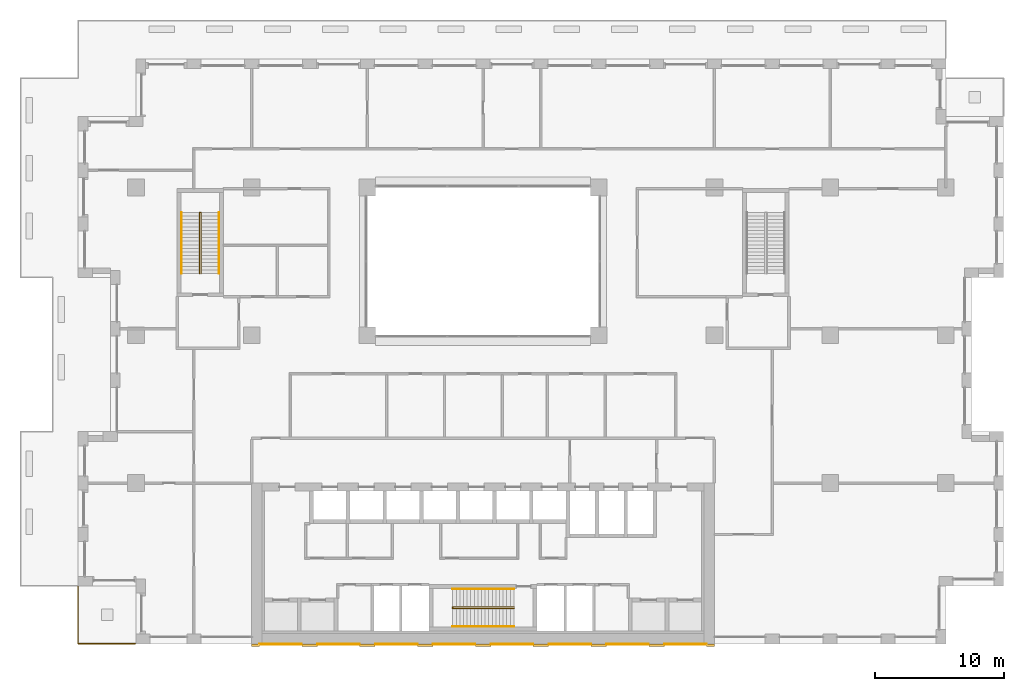
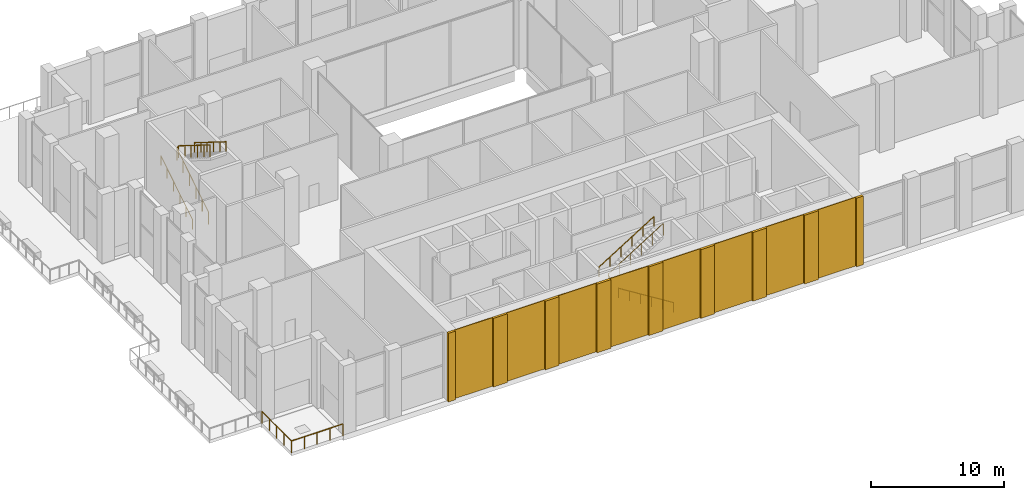
# One storey, part 19 of 21: 17 coverings, 7 railings.
"""IFC4 building model written with IfcOpenShell, lengths in metres."""

from ifc_helpers import new_model, si_unit, direction, frame, origin, origin_2d, place, context, subcontext, project, spatial, rectangle, circle, extrude, material, layer, layer_set, type_object, element, save


model = new_model("IFC4")

# Units and contexts
model_context = context("Model", 3, precision=1e-05, world=origin(), true_north=direction((0.0, 1.0)))
body_context = subcontext(model_context, "Body", "Model", "MODEL_VIEW")
ifc_project = project(units=[si_unit("LENGTHUNIT", "METRE"), si_unit("AREAUNIT", "SQUARE_METRE"), si_unit("VOLUMEUNIT", "CUBIC_METRE"), si_unit("PLANEANGLEUNIT", "RADIAN"), si_unit("MASSUNIT", "GRAM", prefix="KILO")], contexts=[model_context])

# Site, building, storey
site_placement = place(None, origin())
site = spatial("IfcSite", under=ifc_project, at=site_placement, CompositionType="ELEMENT")
building_placement = place(site_placement, origin())
building = spatial("IfcBuilding", under=site, at=building_placement, Name="Brigalow Station Residences", CompositionType="ELEMENT")
storey_placement = place(building_placement, frame((0.0, 0.0, 77.25)))
storey = spatial("IfcBuildingStorey", under=building, at=storey_placement, Name="L22", CompositionType="ELEMENT", Elevation=77.25)

# Railing
ifc_material_1 = material(Name="Stainless steel balustrade with laminated glass infill", Category="steel")
railing_type_1 = type_object("IfcRailingType", Name="BALCONY GUARD 1100", PredefinedType="GUARDRAIL", material=ifc_material_1)
railing_1_placement = place(storey_placement, frame((4.5, 4.449951171875, -0.0400390625)))
element("IfcRailing", 1, at=railing_1_placement, inside=storey, type_object=railing_type_1, Name="L22/terrace-guard/2-1", PredefinedType="GUARDRAIL", context=body_context, shape_type="SweptSolid", body=[
    extrude(circle(Radius=0.02392578125, at=origin_2d()), frame((0.0, 0.0, 1.076171875), z_axis=(0.0, -1.0, 0.0), x_axis=(1.0, 0.0, 0.0)), (0.0, 0.0, 1.0), 4.449951171875),
    extrude(circle(Radius=0.02392578125, at=origin_2d()), frame((0.0, -4.449951171875, 1.076171875), z_axis=(1.0, 0.0, 0.0), x_axis=(0.0, 1.0, 0.0)), (0.0, 0.0, 1.0), 4.449951171875),
    extrude(circle(Radius=0.02099609375, at=origin_2d()), origin(), (0.0, 0.0, 1.0), 1.052001953125),
    extrude(circle(Radius=0.02099609375, at=origin_2d()), frame((0.0, -1.112548828125, 0.0)), (0.0, 0.0, 1.0), 1.052001953125),
    extrude(circle(Radius=0.02099609375, at=origin_2d()), frame((0.0, -2.22509765625, 0.0)), (0.0, 0.0, 1.0), 1.052001953125),
    extrude(circle(Radius=0.02099609375, at=origin_2d()), frame((0.0, -3.33740234375, 0.0)), (0.0, 0.0, 1.0), 1.052001953125),
    extrude(circle(Radius=0.02099609375, at=origin_2d()), frame((0.0, -4.449951171875, 0.0)), (0.0, 0.0, 1.0), 1.052001953125),
    extrude(circle(Radius=0.02099609375, at=origin_2d()), frame((1.112548828125, -4.449951171875, 0.0)), (0.0, 0.0, 1.0), 1.052001953125),
    extrude(circle(Radius=0.02099609375, at=origin_2d()), frame((2.22509765625, -4.449951171875, 0.0)), (0.0, 0.0, 1.0), 1.052001953125),
    extrude(circle(Radius=0.02099609375, at=origin_2d()), frame((3.33740234375, -4.449951171875, 0.0)), (0.0, 0.0, 1.0), 1.052001953125),
    extrude(circle(Radius=0.02099609375, at=origin_2d()), frame((4.449951171875, -4.449951171875, 0.0)), (0.0, 0.0, 1.0), 1.052001953125),
])

# Coverings
ifc_material_2 = material(Name="Clay brick masonry", Category="masonry")
ifc_layer_1 = layer(ifc_material_2, 0.06005859375)
ifc_layer_set_1 = layer_set([ifc_layer_1], Name="BRICK PANEL FACING 60")
covering_type_1 = type_object("IfcCoveringType", Name="BRICK PANEL FACING 60", PredefinedType="CLADDING", material=ifc_layer_set_1)
for number, where, z_axis, x_axis, name in (
    (2, (20.25, -0.030029296875, 0.0), (0.0, 0.0, 1.0), (1.0, 0.0, 0.0), "L22/rear-facing/panel-1"),
    (3, (24.75, -0.030029296875, 0.0), (0.0, 0.0, 1.0), (1.0, 0.0, 0.0), "L22/rear-facing/panel-2"),
    (4, (29.25, -0.030029296875, 0.0), (0.0, 0.0, 1.0), (1.0, 0.0, 0.0), "L22/rear-facing/panel-3"),
    (5, (33.75, -0.030029296875, 0.0), (0.0, 0.0, 1.0), (1.0, 0.0, 0.0), "L22/rear-facing/panel-4"),
    (6, (38.25, -0.030029296875, 0.0), (0.0, 0.0, 1.0), (1.0, 0.0, 0.0), "L22/rear-facing/panel-5"),
    (7, (42.75, -0.030029296875, 0.0), (0.0, 0.0, 1.0), (1.0, 0.0, 0.0), "L22/rear-facing/panel-6"),
    (8, (47.25, -0.030029296875, 0.0), (0.0, 0.0, 1.0), (1.0, 0.0, 0.0), "L22/rear-facing/panel-7"),
    (9, (51.75, -0.030029296875, 0.0), (0.0, 0.0, 1.0), (1.0, 0.0, 0.0), "L22/rear-facing/panel-8"),
):
    element("IfcCovering", number, at=place(storey_placement, frame(where, z_axis=z_axis, x_axis=x_axis)), inside=storey, type_object=covering_type_1, Name=name, PredefinedType="CLADDING", context=body_context, shape_type="SweptSolid", body=[
        extrude(rectangle(XDim=3.300048828125, YDim=0.06005859375, at=origin_2d()), origin(), (0.0, 0.0, 1.0), 6.300048828125),
    ])
ifc_material_3 = material(Name="Clay brick masonry", Category="masonry")
ifc_layer_2 = layer(ifc_material_3, 0.199951171875)
ifc_layer_set_2 = layer_set([ifc_layer_2], Name="BRICK PIER FACING 200")
covering_type_2 = type_object("IfcCoveringType", Name="BRICK PIER FACING 200", PredefinedType="CLADDING", material=ifc_layer_set_2)
covering_1_placement = place(storey_placement, frame((18.300048828125, -0.10009765625, 0.0), z_axis=(0.0, 0.0, 1.0), x_axis=(1.0, 0.0, 0.0)))
element("IfcCovering", 10, at=covering_1_placement, inside=storey, type_object=covering_type_2, Name="L22/rear-facing/pier-1", PredefinedType="CLADDING", context=body_context, shape_type="SweptSolid", body=[
    extrude(rectangle(XDim=0.60009765625, YDim=0.199951171875, at=origin_2d()), origin(), (0.0, 0.0, 1.0), 6.300048828125),
])
for number, where, z_axis, x_axis, name in (
    (11, (22.5, -0.10009765625, 0.0), (0.0, 0.0, 1.0), (1.0, 0.0, 0.0), "L22/rear-facing/pier-2"),
    (12, (27.0, -0.10009765625, 0.0), (0.0, 0.0, 1.0), (1.0, 0.0, 0.0), "L22/rear-facing/pier-3"),
    (13, (31.5, -0.10009765625, 0.0), (0.0, 0.0, 1.0), (1.0, 0.0, 0.0), "L22/rear-facing/pier-4"),
    (14, (36.0, -0.10009765625, 0.0), (0.0, 0.0, 1.0), (1.0, 0.0, 0.0), "L22/rear-facing/pier-5"),
    (15, (40.5, -0.10009765625, 0.0), (0.0, 0.0, 1.0), (1.0, 0.0, 0.0), "L22/rear-facing/pier-6"),
    (16, (45.0, -0.10009765625, 0.0), (0.0, 0.0, 1.0), (1.0, 0.0, 0.0), "L22/rear-facing/pier-7"),
    (17, (49.5, -0.10009765625, 0.0), (0.0, 0.0, 1.0), (1.0, 0.0, 0.0), "L22/rear-facing/pier-8"),
):
    element("IfcCovering", number, at=place(storey_placement, frame(where, z_axis=z_axis, x_axis=x_axis)), inside=storey, type_object=covering_type_2, Name=name, PredefinedType="CLADDING", context=body_context, shape_type="SweptSolid", body=[
        extrude(rectangle(XDim=1.199951171875, YDim=0.199951171875, at=origin_2d()), origin(), (0.0, 0.0, 1.0), 6.300048828125),
    ])
covering_2_placement = place(storey_placement, frame((53.699951171875, -0.10009765625, 0.0), z_axis=(0.0, 0.0, 1.0), x_axis=(1.0, 0.0, 0.0)))
element("IfcCovering", 18, at=covering_2_placement, inside=storey, type_object=covering_type_2, Name="L22/rear-facing/pier-9", PredefinedType="CLADDING", context=body_context, shape_type="SweptSolid", body=[
    extrude(rectangle(XDim=0.60009765625, YDim=0.199951171875, at=origin_2d()), origin(), (0.0, 0.0, 1.0), 6.300048828125),
])

# Railings
ifc_material_4 = material(Name="Stainless steel balustrade", Category="steel")
railing_type_2 = type_object("IfcRailingType", Name="STAIR GUARD 1100", PredefinedType="GUARDRAIL", material=ifc_material_4)
railing_2_placement = place(storey_placement, frame((38.39990234375, 2.72998046875, 0.175048828125)))
element("IfcRailing", 19, at=railing_2_placement, inside=storey, type_object=railing_type_2, Name="GUARD GR-2", PredefinedType="GUARDRAIL", context=body_context, shape_type="SweptSolid", body=[
    extrude(circle(Radius=0.02392578125, at=origin_2d()), frame((0.0, 0.0, 1.076171875), z_axis=(-0.848010521311, 0.0, 0.529979391813), x_axis=(0.0, -1.0, 0.0)), (0.0, 0.0, 1.0), 5.613037109375),
    extrude(circle(Radius=0.02392578125, at=origin_2d()), frame((-4.760009765625, 0.0, 4.05078125), z_axis=(0.0, 0.624960567888, 0.780656319122), x_axis=(-1.0, 0.0, 0.0)), (0.0, 0.0, 1.0), 0.22412109375),
    extrude(circle(Radius=0.02392578125, at=origin_2d()), frame((-4.760009765625, 0.14013671875, 4.22607421875), z_axis=(0.847990973574, 0.0, 0.530010668512), x_axis=(0.0, 1.0, 0.0)), (0.0, 0.0, 1.0), 5.61328125),
    extrude(circle(Radius=0.02099609375, at=origin_2d()), origin(), (0.0, 0.0, 1.0), 1.052001953125),
    extrude(circle(Radius=0.02099609375, at=origin_2d()), frame((-0.951904296875, 0.0, 0.594970703125)), (0.0, 0.0, 1.0), 1.052001953125),
    extrude(circle(Radius=0.02099609375, at=origin_2d()), frame((-1.904052734375, 0.0, 1.18994140625)), (0.0, 0.0, 1.0), 1.052001953125),
    extrude(circle(Radius=0.02099609375, at=origin_2d()), frame((-2.85595703125, 0.0, 1.784912109375)), (0.0, 0.0, 1.0), 1.052001953125),
    extrude(circle(Radius=0.02099609375, at=origin_2d()), frame((-3.80810546875, 0.0, 2.3798828125)), (0.0, 0.0, 1.0), 1.052001953125),
    extrude(circle(Radius=0.02099609375, at=origin_2d()), frame((-4.760009765625, 0.0, 2.974853515625)), (0.0, 0.0, 1.0), 1.052001953125),
    extrude(circle(Radius=0.02099609375, at=origin_2d()), frame((-4.760009765625, 0.14013671875, 3.14990234375)), (0.0, 0.0, 1.0), 1.052001953125),
    extrude(circle(Radius=0.02099609375, at=origin_2d()), frame((-3.80810546875, 0.14013671875, 3.744873046875)), (0.0, 0.0, 1.0), 1.052001953125),
    extrude(circle(Radius=0.02099609375, at=origin_2d()), frame((-2.85595703125, 0.14013671875, 4.33984375)), (0.0, 0.0, 1.0), 1.052001953125),
    extrude(circle(Radius=0.02099609375, at=origin_2d()), frame((-1.904052734375, 0.14013671875, 4.93505859375)), (0.0, 0.0, 1.0), 1.052001953125),
    extrude(circle(Radius=0.02099609375, at=origin_2d()), frame((-0.951904296875, 0.14013671875, 5.530029296875)), (0.0, 0.0, 1.0), 1.052001953125),
    extrude(circle(Radius=0.02099609375, at=origin_2d()), frame((0.0, 0.14013671875, 6.125)), (0.0, 0.0, 1.0), 1.052001953125),
])
railing_3_placement = place(storey_placement, frame((13.929931640625, 28.800048828125, 0.175048828125)))
element("IfcRailing", 20, at=railing_3_placement, inside=storey, type_object=railing_type_2, Name="GUARD GR-1", PredefinedType="GUARDRAIL", context=body_context, shape_type="SweptSolid", body=[
    extrude(circle(Radius=0.02392578125, at=origin_2d()), frame((0.0, 0.0, 1.076171875), z_axis=(0.0, 0.848010521311, 0.529979391813), x_axis=(-1.0, 0.0, 0.0)), (0.0, 0.0, 1.0), 5.613037109375),
    extrude(circle(Radius=0.02392578125, at=origin_2d()), frame((0.0, 4.760009765625, 4.05078125), z_axis=(0.624960567888, 0.0, 0.780656319122), x_axis=(0.0, 1.0, 0.0)), (0.0, 0.0, 1.0), 0.22412109375),
    extrude(circle(Radius=0.02392578125, at=origin_2d()), frame((0.14013671875, 4.760009765625, 4.22607421875), z_axis=(0.0, -0.847990973574, 0.530010668512), x_axis=(1.0, 0.0, 0.0)), (0.0, 0.0, 1.0), 5.61328125),
    extrude(circle(Radius=0.02099609375, at=origin_2d()), origin(), (0.0, 0.0, 1.0), 1.052001953125),
    extrude(circle(Radius=0.02099609375, at=origin_2d()), frame((0.0, 0.951904296875, 0.594970703125)), (0.0, 0.0, 1.0), 1.052001953125),
    extrude(circle(Radius=0.02099609375, at=origin_2d()), frame((0.0, 1.904052734375, 1.18994140625)), (0.0, 0.0, 1.0), 1.052001953125),
    extrude(circle(Radius=0.02099609375, at=origin_2d()), frame((0.0, 2.85595703125, 1.784912109375)), (0.0, 0.0, 1.0), 1.052001953125),
    extrude(circle(Radius=0.02099609375, at=origin_2d()), frame((0.0, 3.80810546875, 2.3798828125)), (0.0, 0.0, 1.0), 1.052001953125),
    extrude(circle(Radius=0.02099609375, at=origin_2d()), frame((0.0, 4.760009765625, 2.974853515625)), (0.0, 0.0, 1.0), 1.052001953125),
    extrude(circle(Radius=0.02099609375, at=origin_2d()), frame((0.14013671875, 4.760009765625, 3.14990234375)), (0.0, 0.0, 1.0), 1.052001953125),
    extrude(circle(Radius=0.02099609375, at=origin_2d()), frame((0.14013671875, 3.80810546875, 3.744873046875)), (0.0, 0.0, 1.0), 1.052001953125),
    extrude(circle(Radius=0.02099609375, at=origin_2d()), frame((0.14013671875, 2.85595703125, 4.33984375)), (0.0, 0.0, 1.0), 1.052001953125),
    extrude(circle(Radius=0.02099609375, at=origin_2d()), frame((0.14013671875, 1.904052734375, 4.93505859375)), (0.0, 0.0, 1.0), 1.052001953125),
    extrude(circle(Radius=0.02099609375, at=origin_2d()), frame((0.14013671875, 0.951904296875, 5.530029296875)), (0.0, 0.0, 1.0), 1.052001953125),
    extrude(circle(Radius=0.02099609375, at=origin_2d()), frame((0.14013671875, 0.0, 6.125)), (0.0, 0.0, 1.0), 1.052001953125),
])
ifc_material_5 = material(Name="Stainless steel handrail", Category="steel")
railing_type_3 = type_object("IfcRailingType", Name="STAIR HANDRAIL 900", PredefinedType="HANDRAIL", material=ifc_material_5)
railing_4_placement = place(storey_placement, frame((38.39990234375, 1.340087890625, 0.175048828125)))
element("IfcRailing", 21, at=railing_4_placement, inside=storey, type_object=railing_type_3, Name="HANDRAIL HR-21", PredefinedType="HANDRAIL", context=body_context, shape_type="SweptSolid", body=[
    extrude(circle(Radius=0.02392578125, at=origin_2d()), frame((0.0, 0.0, 0.8759765625), z_axis=(-0.848010521311, 0.0, 0.529979391813), x_axis=(0.0, -1.0, 0.0)), (0.0, 0.0, 1.0), 5.613037109375),
    extrude(circle(Radius=0.02099609375, at=origin_2d()), origin(), (0.0, 0.0, 1.0), 0.851806640625),
    extrude(circle(Radius=0.02099609375, at=origin_2d()), frame((-0.951904296875, 0.0, 0.594970703125)), (0.0, 0.0, 1.0), 0.851806640625),
    extrude(circle(Radius=0.02099609375, at=origin_2d()), frame((-1.904052734375, 0.0, 1.18994140625)), (0.0, 0.0, 1.0), 0.851806640625),
    extrude(circle(Radius=0.02099609375, at=origin_2d()), frame((-2.85595703125, 0.0, 1.784912109375)), (0.0, 0.0, 1.0), 0.851806640625),
    extrude(circle(Radius=0.02099609375, at=origin_2d()), frame((-3.80810546875, 0.0, 2.3798828125)), (0.0, 0.0, 1.0), 0.851806640625),
    extrude(circle(Radius=0.02099609375, at=origin_2d()), frame((-4.760009765625, 0.0, 2.974853515625)), (0.0, 0.0, 1.0), 0.851806640625),
])
railing_5_placement = place(storey_placement, frame((33.639892578125, 4.260009765625, 3.324951171875)))
element("IfcRailing", 22, at=railing_5_placement, inside=storey, type_object=railing_type_3, Name="HANDRAIL HR-22", PredefinedType="HANDRAIL", context=body_context, shape_type="SweptSolid", body=[
    extrude(circle(Radius=0.02392578125, at=origin_2d()), frame((0.0, 0.0, 0.8759765625), z_axis=(0.847990973574, 0.0, 0.530010668512), x_axis=(0.0, 1.0, 0.0)), (0.0, 0.0, 1.0), 5.61328125),
    extrude(circle(Radius=0.02099609375, at=origin_2d()), origin(), (0.0, 0.0, 1.0), 0.851806640625),
    extrude(circle(Radius=0.02099609375, at=origin_2d()), frame((0.951904296875, 0.0, 0.594970703125)), (0.0, 0.0, 1.0), 0.851806640625),
    extrude(circle(Radius=0.02099609375, at=origin_2d()), frame((1.904052734375, 0.0, 1.18994140625)), (0.0, 0.0, 1.0), 0.851806640625),
    extrude(circle(Radius=0.02099609375, at=origin_2d()), frame((2.85595703125, 0.0, 1.78515625)), (0.0, 0.0, 1.0), 0.851806640625),
    extrude(circle(Radius=0.02099609375, at=origin_2d()), frame((3.80810546875, 0.0, 2.380126953125)), (0.0, 0.0, 1.0), 0.851806640625),
    extrude(circle(Radius=0.02099609375, at=origin_2d()), frame((4.760009765625, 0.0, 2.97509765625)), (0.0, 0.0, 1.0), 0.851806640625),
])
railing_6_placement = place(storey_placement, frame((12.5400390625, 28.800048828125, 0.175048828125)))
element("IfcRailing", 23, at=railing_6_placement, inside=storey, type_object=railing_type_3, Name="HANDRAIL HR-11", PredefinedType="HANDRAIL", context=body_context, shape_type="SweptSolid", body=[
    extrude(circle(Radius=0.02392578125, at=origin_2d()), frame((0.0, 0.0, 0.8759765625), z_axis=(0.0, 0.848010521311, 0.529979391813), x_axis=(-1.0, 0.0, 0.0)), (0.0, 0.0, 1.0), 5.613037109375),
    extrude(circle(Radius=0.02099609375, at=origin_2d()), origin(), (0.0, 0.0, 1.0), 0.851806640625),
    extrude(circle(Radius=0.02099609375, at=origin_2d()), frame((0.0, 0.951904296875, 0.594970703125)), (0.0, 0.0, 1.0), 0.851806640625),
    extrude(circle(Radius=0.02099609375, at=origin_2d()), frame((0.0, 1.904052734375, 1.18994140625)), (0.0, 0.0, 1.0), 0.851806640625),
    extrude(circle(Radius=0.02099609375, at=origin_2d()), frame((0.0, 2.85595703125, 1.784912109375)), (0.0, 0.0, 1.0), 0.851806640625),
    extrude(circle(Radius=0.02099609375, at=origin_2d()), frame((0.0, 3.80810546875, 2.3798828125)), (0.0, 0.0, 1.0), 0.851806640625),
    extrude(circle(Radius=0.02099609375, at=origin_2d()), frame((0.0, 4.760009765625, 2.974853515625)), (0.0, 0.0, 1.0), 0.851806640625),
])
railing_7_placement = place(storey_placement, frame((15.4599609375, 33.56005859375, 3.324951171875)))
element("IfcRailing", 24, at=railing_7_placement, inside=storey, type_object=railing_type_3, Name="HANDRAIL HR-12", PredefinedType="HANDRAIL", context=body_context, shape_type="SweptSolid", body=[
    extrude(circle(Radius=0.02392578125, at=origin_2d()), frame((0.0, 0.0, 0.8759765625), z_axis=(0.0, -0.847990973574, 0.530010668512), x_axis=(1.0, 0.0, 0.0)), (0.0, 0.0, 1.0), 5.61328125),
    extrude(circle(Radius=0.02099609375, at=origin_2d()), origin(), (0.0, 0.0, 1.0), 0.851806640625),
    extrude(circle(Radius=0.02099609375, at=origin_2d()), frame((0.0, -0.951904296875, 0.594970703125)), (0.0, 0.0, 1.0), 0.851806640625),
    extrude(circle(Radius=0.02099609375, at=origin_2d()), frame((0.0, -1.904052734375, 1.18994140625)), (0.0, 0.0, 1.0), 0.851806640625),
    extrude(circle(Radius=0.02099609375, at=origin_2d()), frame((0.0, -2.85595703125, 1.78515625)), (0.0, 0.0, 1.0), 0.851806640625),
    extrude(circle(Radius=0.02099609375, at=origin_2d()), frame((0.0, -3.80810546875, 2.380126953125)), (0.0, 0.0, 1.0), 0.851806640625),
    extrude(circle(Radius=0.02099609375, at=origin_2d()), frame((0.0, -4.760009765625, 2.97509765625)), (0.0, 0.0, 1.0), 0.851806640625),
])

save(model, "model.ifc")
